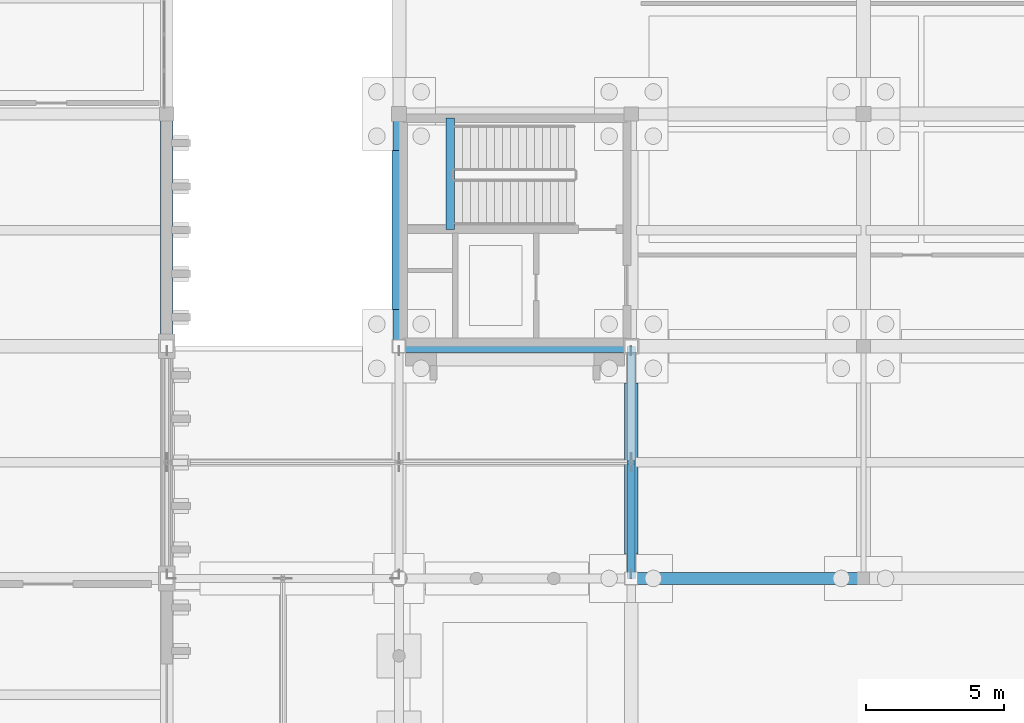
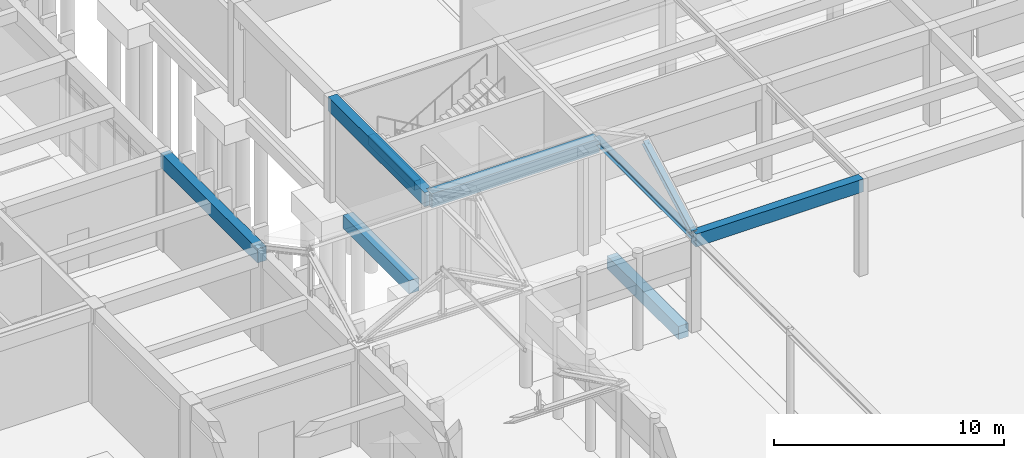
# One storey, part 52 of 143: 8 beams, 1 member.
"""IFC4 building model written with IfcOpenShell, lengths in metres."""

from ifc_helpers import new_model, si_unit, direction, frame, origin, origin_2d, place, context, subcontext, project, spatial, rectangle, i_section, extrude, material, material_profile, profile_set, type_object, element, save


model = new_model("IFC4")

# Units and contexts
model_context = context("Model", 3, precision=1e-05, world=origin(), true_north=direction((0.0, 1.0)))
body_context = subcontext(model_context, "Body", "Model", "MODEL_VIEW")
ifc_project = project(units=[si_unit("LENGTHUNIT", "METRE"), si_unit("AREAUNIT", "SQUARE_METRE"), si_unit("VOLUMEUNIT", "CUBIC_METRE"), si_unit("PLANEANGLEUNIT", "RADIAN"), si_unit("MASSUNIT", "GRAM", prefix="KILO")], contexts=[model_context])

# Site, building, storey
site_placement = place(None, origin())
site = spatial("IfcSite", under=ifc_project, at=site_placement, CompositionType="ELEMENT")
building_placement = place(site_placement, origin())
building = spatial("IfcBuilding", under=site, at=building_placement, Name="Kveldsbrygga Polytechnic", CompositionType="ELEMENT")
storey_placement = place(building_placement, origin())
storey = spatial("IfcBuildingStorey", under=building, at=storey_placement, Name="L00", CompositionType="ELEMENT", Elevation=0.0)

# Beams
ifc_material_1 = material(Name="Concrete C35/45", Category="concrete")
ifc_material_profile_1 = material_profile(ifc_material_1, rectangle(XDim=0.419921875, YDim=0.679931640625, at=origin_2d()), Name="RC 420x680")
ifc_profile_set_1 = profile_set([ifc_material_profile_1], Name="Concrete C35/45")
beam_type_1 = type_object("IfcBeamType", Name="BM-RC-420x680", PredefinedType="BEAM", material=ifc_profile_set_1)
beam_1_placement = place(storey_placement, frame((50.39990234375, 75.60009765625, 4.800048828125), z_axis=(1.0, 0.0, 0.0), x_axis=(0.0, 1.0, 0.0)))
element("IfcBeam", 1, at=beam_1_placement, inside=storey, type_object=beam_type_1, Name="Primary Beam BMX-L00-06to07-09", PredefinedType="BEAM", context=body_context, shape_type="SweptSolid", body=[
    extrude(rectangle(XDim=0.419921875, YDim=0.679931640625, at=origin_2d()), origin(), (0.0, 0.0, 1.0), 8.400146484375),
])
ifc_material_profile_2 = material_profile(ifc_material_1, rectangle(XDim=0.449951171875, YDim=0.75, at=origin_2d()), Name="RC 450x750")
ifc_profile_set_2 = profile_set([ifc_material_profile_2], Name="Concrete C35/45")
beam_type_2 = type_object("IfcBeamType", Name="BM-RC-450x750", PredefinedType="BEAM", material=ifc_profile_set_2)
for number, where, z_axis, x_axis, name in (
    (2, (33.60009765625, 84.0, 4.72509765625), (0.0, 1.0, 0.0), (-1.0, 0.0, 0.0), "Primary Beam BMY-L00-04-10to11"),
    (3, (42.0, 84.0, 4.764892578125), (0.0, 1.0, 0.0), (-1.0, 0.0, 0.0), "Primary Beam BMY-L00-05-10to11"),
):
    element("IfcBeam", number, at=place(storey_placement, frame(where, z_axis=z_axis, x_axis=x_axis)), inside=storey, type_object=beam_type_2, Name=name, PredefinedType="BEAM", context=body_context, shape_type="SweptSolid", body=[
        extrude(rectangle(XDim=0.449951171875, YDim=0.75, at=origin_2d()), origin(), (0.0, 0.0, 1.0), 8.39990234375),
    ])
ifc_material_profile_3 = material_profile(ifc_material_1, rectangle(XDim=0.4599609375, YDim=0.739990234375, at=origin_2d()), Name="RC 460x740")
ifc_profile_set_3 = profile_set([ifc_material_profile_3], Name="Concrete C35/45")
beam_type_3 = type_object("IfcBeamType", Name="BM-RC-460x740", PredefinedType="BEAM", material=ifc_profile_set_3)
beam_2_placement = place(storey_placement, frame((42.0, 84.0, 4.77001953125), z_axis=(1.0, 0.0, 0.0), x_axis=(0.0, 1.0, 0.0)))
element("IfcBeam", 4, at=beam_2_placement, inside=storey, type_object=beam_type_3, Name="Primary Beam BMX-L00-05to06-10", PredefinedType="BEAM", context=body_context, shape_type="SweptSolid", body=[
    extrude(rectangle(XDim=0.4599609375, YDim=0.739990234375, at=origin_2d()), origin(), (0.0, 0.0, 1.0), 8.39990234375),
])
ifc_material_2 = material(Name="Steel S355", Category="steel")
ifc_material_profile_4 = material_profile(ifc_material_2, i_section(OverallWidth=0.300048828125, OverallDepth=0.31005859375, WebThickness=0.009033203125, FlangeThickness=0.015380859375, FilletRadius=0.027099609375, at=origin_2d()), Name="HEA 320")
ifc_profile_set_4 = profile_set([ifc_material_profile_4], Name="Steel S355")
beam_type_4 = type_object("IfcBeamType", Name="BM-STL-HEA320", PredefinedType="BEAM", material=ifc_profile_set_4)
beam_3_placement = place(storey_placement, frame((50.39990234375, 75.60009765625, 4.985107421875), z_axis=(0.0, 1.0, 0.0), x_axis=(-1.0, 0.0, 0.0)))
element("IfcBeam", 5, at=beam_3_placement, inside=storey, type_object=beam_type_4, Name="Primary Beam BMY-L00-06-09to10", PredefinedType="BEAM", context=body_context, shape_type="SweptSolid", body=[
    extrude(i_section(OverallWidth=0.300048828125, OverallDepth=0.31005859375, WebThickness=0.009033203125, FlangeThickness=0.015380859375, FilletRadius=0.027099609375, at=origin_2d()), origin(), (0.0, 0.0, 1.0), 8.39990234375),
])
ifc_material_profile_5 = material_profile(ifc_material_1, rectangle(XDim=0.5, YDim=0.699951171875, at=origin_2d()), Name="RC 500x700")
ifc_profile_set_5 = profile_set([ifc_material_profile_5], Name="Concrete C35/45")
beam_type_5 = type_object("IfcBeamType", Name="BM-TIE-500x700", PredefinedType="BEAM", material=ifc_profile_set_5)
beam_4_placement = place(storey_placement, frame((42.0, 85.326904296875, -0.669921875), z_axis=(0.0, 1.0, 0.0), x_axis=(-1.0, 0.0, 0.0)))
element("IfcBeam", 6, at=beam_4_placement, inside=storey, type_object=beam_type_5, Name="Ground Tie Beam GB-L00-Y-05-10", PredefinedType="BEAM", context=body_context, shape_type="SweptSolid", body=[
    extrude(rectangle(XDim=0.5, YDim=0.699951171875, at=origin_2d()), origin(), (0.0, 0.0, 1.0), 5.74609375),
])
beam_5_placement = place(storey_placement, frame((50.39990234375, 76.47705078125, -0.669921875), z_axis=(0.0, 1.0, 0.0), x_axis=(-1.0, 0.0, 0.0)))
element("IfcBeam", 7, at=beam_5_placement, inside=storey, type_object=beam_type_5, Name="Ground Tie Beam GB-L00-Y-06-09", PredefinedType="BEAM", context=body_context, shape_type="SweptSolid", body=[
    extrude(rectangle(XDim=0.5, YDim=0.699951171875, at=origin_2d()), origin(), (0.0, 0.0, 1.0), 6.196044921875),
])
ifc_material_profile_6 = material_profile(ifc_material_1, rectangle(XDim=0.300048828125, YDim=0.5, at=origin_2d()), Name="RC 300x500")
ifc_profile_set_6 = profile_set([ifc_material_profile_6], Name="Concrete C35/45")
beam_type_6 = type_object("IfcBeamType", Name="LNT-RC-300x500", PredefinedType="LINTEL", material=ifc_profile_set_6)
beam_6_placement = place(storey_placement, frame((43.85009765625, 88.22998046875, 2.27001953125), z_axis=(0.0, 1.0, 0.0), x_axis=(-1.0, 0.0, 0.0)))
element("IfcBeam", 8, at=beam_6_placement, inside=storey, type_object=beam_type_6, Name="Stair Landing Support Beam C7-L00-LNDB-1-1", PredefinedType="LINTEL", context=body_context, shape_type="SweptSolid", body=[
    extrude(rectangle(XDim=0.300048828125, YDim=0.5, at=origin_2d()), origin(), (0.0, 0.0, 1.0), 4.02001953125),
])

# Member
ifc_material_profile_7 = material_profile(ifc_material_2, i_section(OverallWidth=0.280029296875, OverallDepth=0.280029296875, WebThickness=0.010498046875, FlangeThickness=0.01806640625, FilletRadius=0.02392578125, at=origin_2d()), Name="HEB 280")
ifc_profile_set_7 = profile_set([ifc_material_profile_7], Name="Steel S355")
member_type = type_object("IfcMemberType", Name="TR-TOP-HEB280", PredefinedType="CHORD", material=ifc_profile_set_7)
member_placement = place(storey_placement, frame((50.39990234375, 75.60009765625, 5.139892578125), z_axis=(0.0, 0.881477684796, 0.472225678258), x_axis=(-1.0, 0.0, 0.0)))
element("IfcMember", 9, at=member_placement, inside=storey, type_object=member_type, Name="Truss Top Chord ARC-WN-T03-TC-1", PredefinedType="CHORD", context=body_context, shape_type="SweptSolid", body=[
    extrude(i_section(OverallWidth=0.280029296875, OverallDepth=0.280029296875, WebThickness=0.010498046875, FlangeThickness=0.01806640625, FilletRadius=0.02392578125, at=origin_2d()), origin(), (0.0, 0.0, 1.0), 4.7646484375),
])

save(model, "model.ifc")
